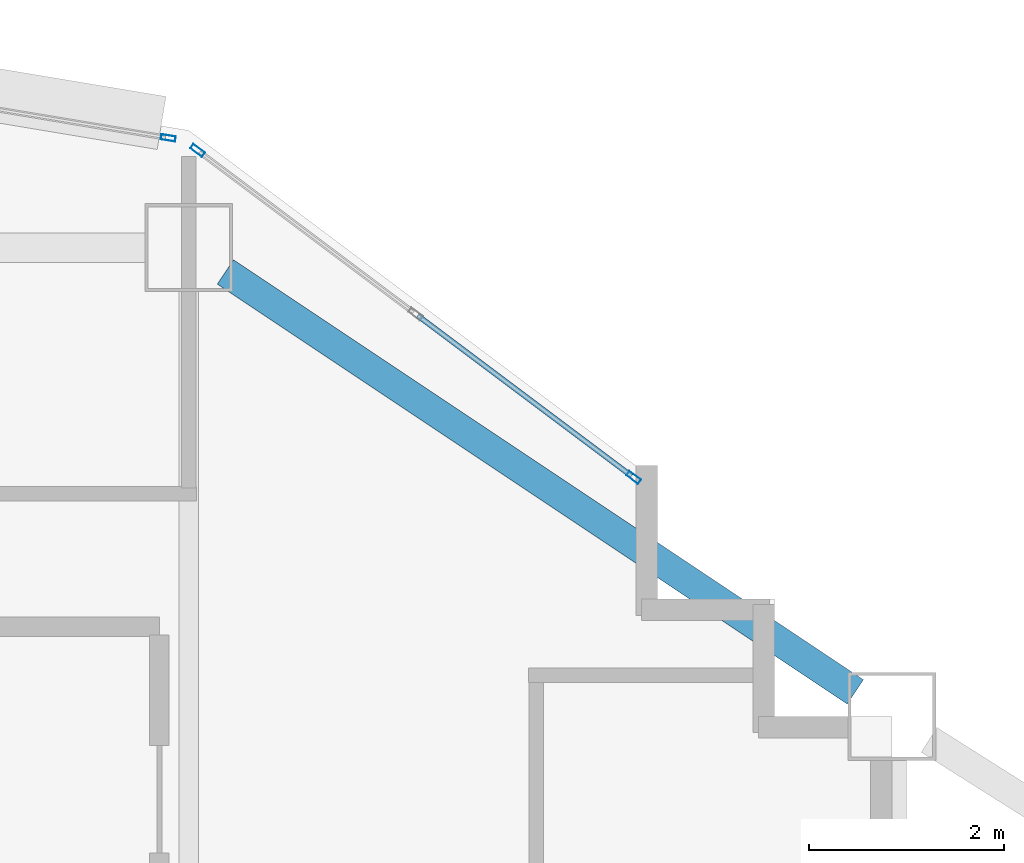
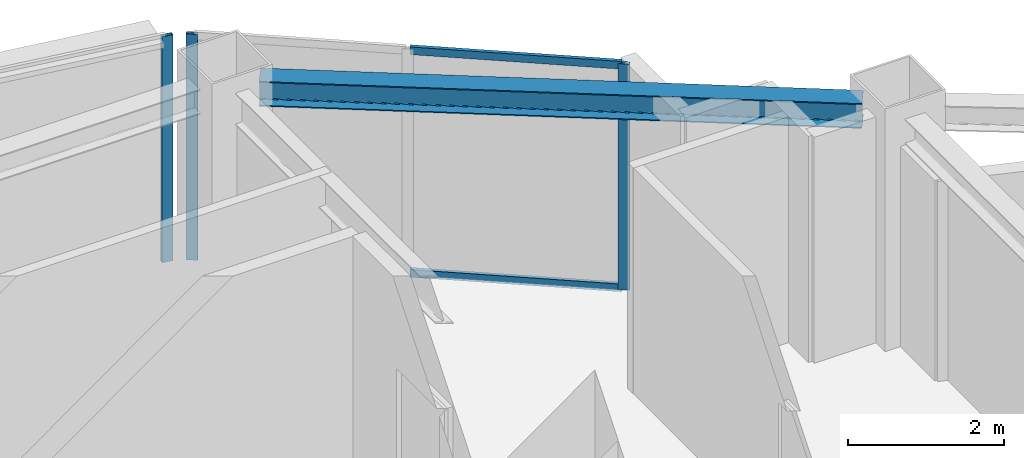
# One storey, part 3 of 12: 5 members, 1 beam, 2 elements without a shape of their own.
"""IFC4 building model written with IfcOpenShell, lengths in metres."""

import ifcopenshell
import ifcopenshell.guid

model = None  # the IFC model being written
_history = None  # IfcOwnerHistory: only IFC2X3 demands one
_inside = {}  # id of a spatial element -> (the spatial element, [elements in it])
_under = {}  # id of a project, library or spatial element -> (it, [spatial elements below it])
_declared = {}  # id of a project -> (the project, [libraries it declares])
_typed = {}  # id of a type object -> (the type object, [elements of that type])
_made_of = {}  # id of a material, layer set ... -> (it, [elements and type objects made of it])


def new_model(schema):
    """Start an empty IFC model of exactly this schema.

    Asked for "IFC4X3", IfcOpenShell would pick the latest addendum, in which some entities
    have other attributes; the version numbers below select the first issue.
    IFC2X3 requires an IfcOwnerHistory on every rooted entity: one is made here for all.
    """
    global model, _history
    if schema == "IFC4X3":
        model = ifcopenshell.file(schema_version=(4, 3, 0, 0))
    else:
        model = ifcopenshell.file(schema=schema)
    _inside.clear()
    _under.clear()
    _declared.clear()
    _typed.clear()
    _made_of.clear()
    _history = None
    if model.schema == "IFC2X3":
        org = make("IfcOrganization", Name="unknown")
        user = make(
            "IfcPersonAndOrganization",
            ThePerson=make("IfcPerson", FamilyName="unknown"),
            TheOrganization=org,
        )
        app = make(
            "IfcApplication",
            ApplicationDeveloper=org,
            Version="unknown",
            ApplicationFullName="unknown",
            ApplicationIdentifier="unknown",
        )
        _history = make(
            "IfcOwnerHistory",
            OwningUser=user,
            OwningApplication=app,
            ChangeAction="ADDED",
            CreationDate=0,
        )
    return model


def make(cls, **values):
    """One entity of the class cls with the attributes given. An attribute that is None is left unset."""
    return model.create_entity(
        cls, **{name: value for name, value in values.items() if value is not None}
    )


def rooted(cls, **values):
    """An entity with a GlobalId (a new one), such as an element, a storey or a relation."""
    return make(cls, GlobalId=ifcopenshell.guid.new(), OwnerHistory=_history, **values)


def si_unit(unit_type, name, prefix=None):
    """IfcSIUnit, for example si_unit("LENGTHUNIT", "METRE", prefix="MILLI")."""
    return make("IfcSIUnit", UnitType=unit_type, Prefix=prefix, Name=name)


def assignment(units):
    """IfcUnitAssignment: the units of a project."""
    return None if units is None else make("IfcUnitAssignment", Units=units)


def point(xyz):
    """IfcCartesianPoint."""
    return None if xyz is None else make("IfcCartesianPoint", Coordinates=xyz)


def direction(xyz):
    """IfcDirection."""
    return None if xyz is None else make("IfcDirection", DirectionRatios=xyz)


def frame(location, z_axis=None, x_axis=None):
    """IfcAxis2Placement3D, a coordinate frame: its origin and axes. An axis left out is left unset."""
    return make(
        "IfcAxis2Placement3D",
        Location=point(location),
        Axis=direction(z_axis),
        RefDirection=direction(x_axis),
    )


def frame_2d(location, x_axis=None):
    """IfcAxis2Placement2D, a coordinate frame in the plane: its origin and x axis."""
    return make(
        "IfcAxis2Placement2D", Location=point(location), RefDirection=direction(x_axis)
    )


def origin():
    """The frame at (0, 0, 0) with its axes left unset."""
    return frame((0.0, 0.0, 0.0))


def origin_2d():
    """The frame at (0, 0) in the plane with its x axis left unset."""
    return frame_2d((0.0, 0.0))


def place(relative_to, where):
    """IfcLocalPlacement: puts the frame where relative to a parent placement (None: the world)."""
    return make(
        "IfcLocalPlacement", PlacementRelTo=relative_to, RelativePlacement=where
    )


def context(
    kind, dimensions, precision=None, world=None, true_north=None, identifier=None
):
    """IfcGeometricRepresentationContext, for example the 3D "Model" context."""
    return make(
        "IfcGeometricRepresentationContext",
        ContextIdentifier=identifier,
        ContextType=kind,
        CoordinateSpaceDimension=dimensions,
        Precision=precision,
        WorldCoordinateSystem=world,
        TrueNorth=true_north,
    )


def subcontext(parent, identifier, kind, view, scale=None):
    """IfcGeometricRepresentationSubContext, for example "Body" below "Model"."""
    return make(
        "IfcGeometricRepresentationSubContext",
        ContextIdentifier=identifier,
        ContextType=kind,
        ParentContext=parent,
        TargetScale=scale,
        TargetView=view,
    )


def project(units=None, contexts=None):
    """IfcProject with its units and contexts."""
    return rooted(
        "IfcProject",
        Name="project",
        RepresentationContexts=contexts,
        UnitsInContext=assignment(units),
    )


def spatial(cls, under=None, at=None, **own):
    """A site, building, storey or space (cls), placed at a placement, below another one or the project."""
    s = rooted(cls, ObjectPlacement=at, **own)
    if under is not None:
        _under.setdefault(under.id(), (under, []))[1].append(s)
    return s


def profile(cls, at=None, kind="AREA", **sizes):
    """A parametric profile (cls). Its sizes go by their IFC names, for example OverallWidth=200.0."""
    return make(cls, ProfileType=kind, Position=at, **sizes)


def hollow_rectangle(**sizes):
    """IfcRectangleHollowProfileDef."""
    return profile("IfcRectangleHollowProfileDef", **sizes)


def i_section(**sizes):
    """IfcIShapeProfileDef."""
    return profile("IfcIShapeProfileDef", **sizes)


def extrude(swept, where, along, depth):
    """IfcExtrudedAreaSolid: the profile swept, set in the frame where, extruded along a direction by depth."""
    return make(
        "IfcExtrudedAreaSolid",
        SweptArea=swept,
        Position=where,
        ExtrudedDirection=direction(along),
        Depth=depth,
    )


def shape(context_of_items, identifier, shape_type, items):
    """IfcShapeRepresentation: the items that make up one representation, for example the "Body"."""
    return make(
        "IfcShapeRepresentation",
        ContextOfItems=context_of_items,
        RepresentationIdentifier=identifier,
        RepresentationType=shape_type,
        Items=items,
    )


def material(Name=None, Category=None):
    """IfcMaterial."""
    return make("IfcMaterial", Name=Name, Category=Category)


def layer(
    of_material, thickness, ventilated=None, Name=None, Category=None, Priority=None
):
    """IfcMaterialLayer: one layer of a wall or slab, of a material (None: an air gap)."""
    return make(
        "IfcMaterialLayer",
        Material=of_material,
        LayerThickness=thickness,
        IsVentilated=ventilated,
        Name=Name,
        Category=Category,
        Priority=Priority,
    )


def layer_set(layers, Name=None):
    """IfcMaterialLayerSet."""
    return make("IfcMaterialLayerSet", MaterialLayers=layers, LayerSetName=Name)


def material_profile(
    of_material, cross_section, Name=None, Category=None, Priority=None
):
    """IfcMaterialProfile: a cross section and its material."""
    return make(
        "IfcMaterialProfile",
        Name=Name,
        Material=of_material,
        Profile=cross_section,
        Priority=Priority,
        Category=Category,
    )


def profile_set(profiles, Name=None, composite=None):
    """IfcMaterialProfileSet."""
    return make(
        "IfcMaterialProfileSet",
        Name=Name,
        MaterialProfiles=profiles,
        CompositeProfile=composite,
    )


def made_of(thing, what):
    """Note that an element or type object is made of a material, layer set ...; save() writes the relation."""
    if what is not None:
        _made_of.setdefault(what.id(), (what, []))[1].append(thing)
    return thing


def type_object(cls, material=None, **own):
    """A type object (cls), such as IfcWallType, which elements share."""
    return made_of(rooted(cls, **own), material)


def element(
    cls,
    number,
    at=None,
    inside=None,
    cuts=None,
    type_object=None,
    material=None,
    context=None,
    identifier="Body",
    shape_type=None,
    held_by="IfcProductDefinitionShape",
    body=None,
    shapes=None,
    **own,
):
    """One element of the class cls, such as IfcWall. Its Tag is "e" and its number.

    at: its placement. inside: the storey or other place that contains it. cuts: it is an
    opening in that element (IfcRelVoidsElement). A single representation is given by context,
    identifier, shape_type and body (its items); several are given by shapes. held_by: the class
    of the entity that holds the representations. save() writes the other relations.
    """
    e = rooted(cls, Tag="e%d" % number, ObjectPlacement=at, **own)
    if body is not None:
        shapes = [shape(context, identifier, shape_type, body)]
    if shapes is not None:
        e.Representation = make(held_by, Representations=shapes)
    if inside is not None:
        _inside.setdefault(inside.id(), (inside, []))[1].append(e)
    if cuts is not None:
        rooted(
            "IfcRelVoidsElement", RelatingBuildingElement=cuts, RelatedOpeningElement=e
        )
    if type_object is not None:
        _typed.setdefault(type_object.id(), (type_object, []))[1].append(e)
    return made_of(e, material)


def aggregate(whole, parts):
    """IfcRelAggregates: a whole, such as a stair, and the parts it consists of."""
    return rooted("IfcRelAggregates", RelatingObject=whole, RelatedObjects=parts)


def save(model, path):
    """Write the relations noted so far, then the file.

    IfcRelAggregates (storeys below a building ...), IfcRelContainedInSpatialStructure (elements
    in a storey), IfcRelDefinesByType, IfcRelAssociatesMaterial and IfcRelDeclares: one each for
    every whole, place, type object, material and project.
    """
    for whole, parts in _under.values():
        aggregate(whole, parts)
    for where, things in _inside.values():
        rooted(
            "IfcRelContainedInSpatialStructure",
            RelatedElements=things,
            RelatingStructure=where,
        )
    for kind, things in _typed.values():
        rooted("IfcRelDefinesByType", RelatedObjects=things, RelatingType=kind)
    for what, things in _made_of.values():
        rooted("IfcRelAssociatesMaterial", RelatedObjects=things, RelatingMaterial=what)
    for by, libraries in _declared.values():
        rooted("IfcRelDeclares", RelatingContext=by, RelatedDefinitions=libraries)
    model.write(path)


model = new_model("IFC4")

# Units and contexts
model_context = context("Model", 3, precision=1e-05, world=origin(), true_north=direction((0.0, 1.0)))
body_context = subcontext(model_context, "Body", "Model", "MODEL_VIEW")
ifc_project = project(units=[si_unit("LENGTHUNIT", "METRE"), si_unit("AREAUNIT", "SQUARE_METRE"), si_unit("VOLUMEUNIT", "CUBIC_METRE"), si_unit("PLANEANGLEUNIT", "RADIAN"), si_unit("MASSUNIT", "GRAM", prefix="KILO")], contexts=[model_context])

# Site, building, storey
site_placement = place(None, origin())
site = spatial("IfcSite", under=ifc_project, at=site_placement, CompositionType="ELEMENT")
building_placement = place(site_placement, origin())
building = spatial("IfcBuilding", under=site, at=building_placement, Name="Haolan Belvedere Tower", CompositionType="ELEMENT")
storey_placement = place(building_placement, frame((0.0, 0.0, 203.199951171875)))
storey = spatial("IfcBuildingStorey", under=building, at=storey_placement, Name="L51", CompositionType="ELEMENT", Elevation=203.199951171875)

# Beam
ifc_material_1 = material(Name="Steel Q355B", Category="steel")
ifc_material_profile_1 = material_profile(ifc_material_1, i_section(OverallWidth=0.300048828125, OverallDepth=0.389892578125, WebThickness=0.010009765625, FlangeThickness=0.01611328125, FilletRadius=0.02197265625, at=origin_2d()), Name="Steel Q355B")
ifc_profile_set_1 = profile_set([ifc_material_profile_1], Name="Steel Q355B")
beam_type = type_object("IfcBeamType", Name="BM-HM390x300x10x16", PredefinedType="SPANDREL", material=ifc_profile_set_1)
beam_placement = place(storey_placement, frame((45.974365234375, 50.150390625, 3.344970703125), z_axis=(0.832050294338, -0.554700196225, 0.0), x_axis=(0.554700196225, 0.832050294338, 0.0)))
element("IfcBeam", 1, at=beam_placement, inside=storey, type_object=beam_type, Name="L51 spandrel girder MC-T3-N2-MC-T3-NE", PredefinedType="SPANDREL", context=body_context, shape_type="SweptSolid", body=[
    extrude(i_section(OverallWidth=0.300048828125, OverallDepth=0.389892578125, WebThickness=0.010009765625, FlangeThickness=0.01611328125, FilletRadius=0.02197265625, at=origin_2d()), origin(), (0.0, 0.0, 1.0), 7.75341796875),
])

# Curtain wall, members
ifc_material_2 = material(Name="Anodised champagne-silver aluminium 6063-T6 and Low-E glass", Category="aluminium")
ifc_layer = layer(ifc_material_2, 0.14990234375, Name="Anodised champagne-silver aluminium 6063-T6 and Low-E glass")
ifc_layer_set = layer_set([ifc_layer], Name="Anodised champagne-silver aluminium 6063-T6 and Low-E glass")
curtain_wall_type = type_object("IfcCurtainWallType", Name="CW-SYS-04", PredefinedType="NOTDEFINED", material=ifc_layer_set)
curtain_wall_1_placement = place(storey_placement, origin())
curtain_wall_1 = element("IfcCurtainWall", 2, at=curtain_wall_1_placement, inside=storey, type_object=curtain_wall_type, Name="L51 CW-SYS-04 ribbon curtain wall 20.1", PredefinedType="NOTDEFINED")
ifc_material_3 = material(Name="Anodised aluminium 6063-T6", Category="aluminium")
ifc_material_profile_2 = material_profile(ifc_material_3, hollow_rectangle(XDim=0.055908203125, YDim=0.14990234375, WallThickness=0.00390625, at=origin_2d()), Name="Anodised aluminium 6063-T6")
ifc_profile_set_2 = profile_set([ifc_material_profile_2], Name="Anodised aluminium 6063-T6")
member_type_1 = type_object("IfcMemberType", Name="CW-SYS-04-MUL", PredefinedType="MULLION", material=ifc_profile_set_2)
member_1_placement = place(storey_placement, frame((50.155517578125, 48.0458984375, 0.0), z_axis=(0.0, 0.0, 1.0), x_axis=(-0.600002837806, -0.799997871638, 0.0)))
member_1 = element("IfcMember", 3, at=member_1_placement, type_object=member_type_1, Name="CW-04 mullion 1", PredefinedType="MULLION", context=body_context, shape_type="SweptSolid", body=[
    extrude(hollow_rectangle(XDim=0.055908203125, YDim=0.14990234375, WallThickness=0.00390625, at=origin_2d()), origin(), (0.0, 0.0, 1.0), 3.5400390625),
])
member_2_placement = place(storey_placement, frame((45.68994140625, 51.39501953125, 0.0), z_axis=(0.0, 0.0, 1.0), x_axis=(-0.600002837806, -0.799997871638, 0.0)))
member_2 = element("IfcMember", 4, at=member_2_placement, type_object=member_type_1, Name="CW-04 mullion 3", PredefinedType="MULLION", context=body_context, shape_type="SweptSolid", body=[
    extrude(hollow_rectangle(XDim=0.055908203125, YDim=0.14990234375, WallThickness=0.00390625, at=origin_2d()), origin(), (0.0, 0.0, 1.0), 3.5400390625),
])

# Curtain wall, member
curtain_wall_2_placement = place(storey_placement, origin())
curtain_wall_2 = element("IfcCurtainWall", 5, at=curtain_wall_2_placement, inside=storey, type_object=curtain_wall_type, Name="L51 CW-SYS-04 ribbon curtain wall 21.1", PredefinedType="NOTDEFINED")
member_3_placement = place(storey_placement, frame((45.389892578125, 51.5234375, 0.0), z_axis=(0.0, 0.0, 1.0), x_axis=(-0.164405962825, -0.98639276122, 0.0)))
member_3 = element("IfcMember", 6, at=member_3_placement, type_object=member_type_1, Name="CW-04 mullion 1", PredefinedType="MULLION", context=body_context, shape_type="SweptSolid", body=[
    extrude(hollow_rectangle(XDim=0.055908203125, YDim=0.14990234375, WallThickness=0.00390625, at=origin_2d()), origin(), (0.0, 0.0, 1.0), 3.5400390625),
])
aggregate(curtain_wall_2, [member_3])

# Member
ifc_material_profile_3 = material_profile(ifc_material_3, hollow_rectangle(XDim=0.052001953125, YDim=0.1201171875, WallThickness=0.00390625, at=origin_2d()), Name="Anodised aluminium 6063-T6")
ifc_profile_set_3 = profile_set([ifc_material_profile_3], Name="Anodised aluminium 6063-T6")
member_type_2 = type_object("IfcMemberType", Name="CW-SYS-04-TRN", PredefinedType="USERDEFINED", material=ifc_profile_set_3)
member_4_placement = place(storey_placement, frame((50.13330078125, 48.0625, 0.026123046875), z_axis=(-0.800010710715, 0.59998571878, 0.0), x_axis=(-0.59998571878, -0.800010710715, 0.0)))
member_4 = element("IfcMember", 7, at=member_4_placement, type_object=member_type_2, Name="CW-04 transom 1.1", ObjectType="TRANSOM", PredefinedType="USERDEFINED", context=body_context, shape_type="SweptSolid", body=[
    extrude(hollow_rectangle(XDim=0.052001953125, YDim=0.1201171875, WallThickness=0.00390625, at=origin_2d()), origin(), (0.0, 0.0, 1.0), 2.7353515625),
])

member_5_placement = place(storey_placement, frame((50.13330078125, 48.0625, 3.51416015625), z_axis=(-0.800010710715, 0.59998571878, 0.0), x_axis=(-0.59998571878, -0.800010710715, 0.0)))
member_5 = element("IfcMember", 8, at=member_5_placement, type_object=member_type_2, Name="CW-04 transom 1.2", ObjectType="TRANSOM", PredefinedType="USERDEFINED", context=body_context, shape_type="SweptSolid", body=[
    extrude(hollow_rectangle(XDim=0.052001953125, YDim=0.1201171875, WallThickness=0.00390625, at=origin_2d()), origin(), (0.0, 0.0, 1.0), 2.7353515625),
])

aggregate(curtain_wall_1, [member_1, member_2, member_4, member_5])

save(model, "model.ifc")
